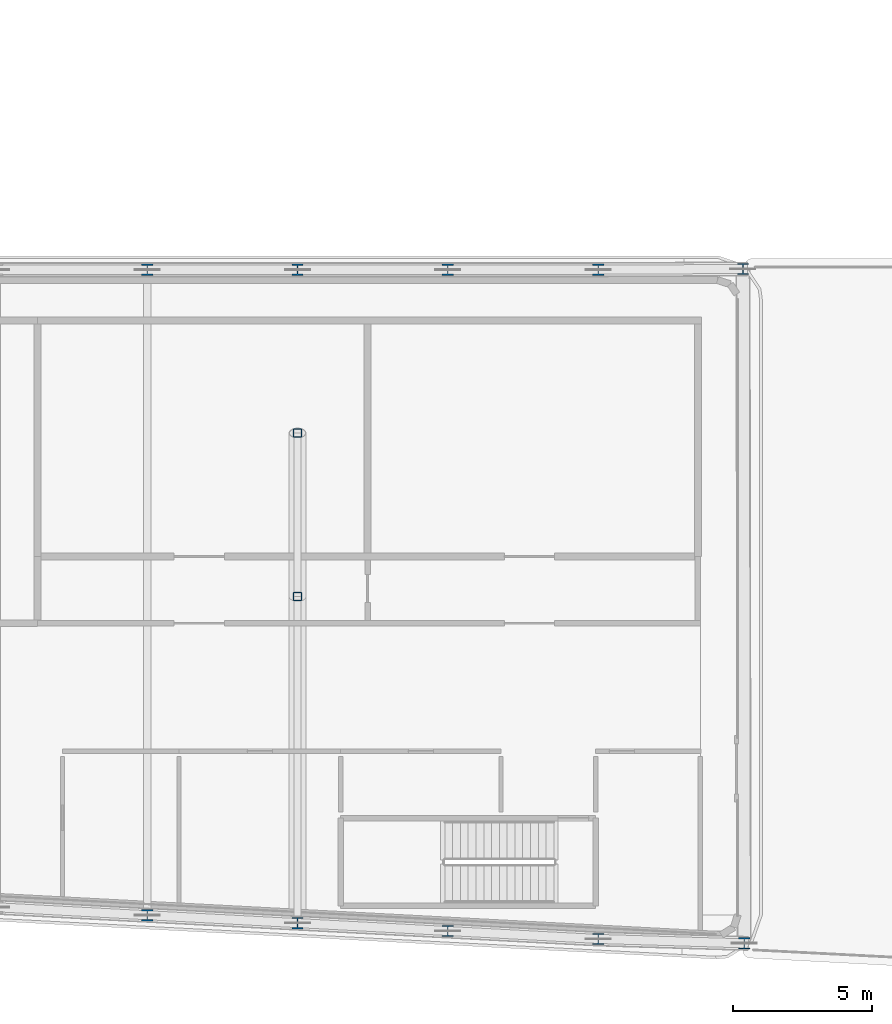
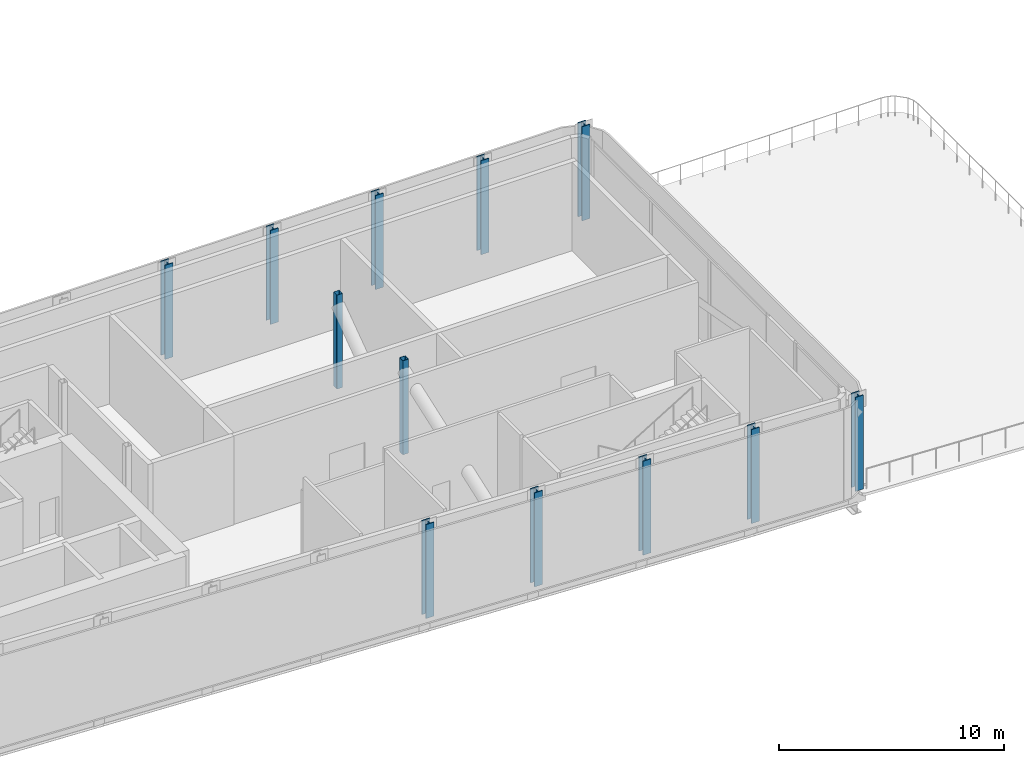
# One storey, part 2 of 23: 12 columns.
"""IFC4 building model written with IfcOpenShell, lengths in metres."""

import ifcopenshell
import ifcopenshell.guid

model = None  # the IFC model being written
_history = None  # IfcOwnerHistory: only IFC2X3 demands one
_inside = {}  # id of a spatial element -> (the spatial element, [elements in it])
_under = {}  # id of a project, library or spatial element -> (it, [spatial elements below it])
_declared = {}  # id of a project -> (the project, [libraries it declares])
_typed = {}  # id of a type object -> (the type object, [elements of that type])
_made_of = {}  # id of a material, layer set ... -> (it, [elements and type objects made of it])


def new_model(schema):
    """Start an empty IFC model of exactly this schema.

    Asked for "IFC4X3", IfcOpenShell would pick the latest addendum, in which some entities
    have other attributes; the version numbers below select the first issue.
    IFC2X3 requires an IfcOwnerHistory on every rooted entity: one is made here for all.
    """
    global model, _history
    if schema == "IFC4X3":
        model = ifcopenshell.file(schema_version=(4, 3, 0, 0))
    else:
        model = ifcopenshell.file(schema=schema)
    _inside.clear()
    _under.clear()
    _declared.clear()
    _typed.clear()
    _made_of.clear()
    _history = None
    if model.schema == "IFC2X3":
        org = make("IfcOrganization", Name="unknown")
        user = make(
            "IfcPersonAndOrganization",
            ThePerson=make("IfcPerson", FamilyName="unknown"),
            TheOrganization=org,
        )
        app = make(
            "IfcApplication",
            ApplicationDeveloper=org,
            Version="unknown",
            ApplicationFullName="unknown",
            ApplicationIdentifier="unknown",
        )
        _history = make(
            "IfcOwnerHistory",
            OwningUser=user,
            OwningApplication=app,
            ChangeAction="ADDED",
            CreationDate=0,
        )
    return model


def make(cls, **values):
    """One entity of the class cls with the attributes given. An attribute that is None is left unset."""
    return model.create_entity(
        cls, **{name: value for name, value in values.items() if value is not None}
    )


def rooted(cls, **values):
    """An entity with a GlobalId (a new one), such as an element, a storey or a relation."""
    return make(cls, GlobalId=ifcopenshell.guid.new(), OwnerHistory=_history, **values)


def si_unit(unit_type, name, prefix=None):
    """IfcSIUnit, for example si_unit("LENGTHUNIT", "METRE", prefix="MILLI")."""
    return make("IfcSIUnit", UnitType=unit_type, Prefix=prefix, Name=name)


def assignment(units):
    """IfcUnitAssignment: the units of a project."""
    return None if units is None else make("IfcUnitAssignment", Units=units)


def point(xyz):
    """IfcCartesianPoint."""
    return None if xyz is None else make("IfcCartesianPoint", Coordinates=xyz)


def direction(xyz):
    """IfcDirection."""
    return None if xyz is None else make("IfcDirection", DirectionRatios=xyz)


def frame(location, z_axis=None, x_axis=None):
    """IfcAxis2Placement3D, a coordinate frame: its origin and axes. An axis left out is left unset."""
    return make(
        "IfcAxis2Placement3D",
        Location=point(location),
        Axis=direction(z_axis),
        RefDirection=direction(x_axis),
    )


def frame_2d(location, x_axis=None):
    """IfcAxis2Placement2D, a coordinate frame in the plane: its origin and x axis."""
    return make(
        "IfcAxis2Placement2D", Location=point(location), RefDirection=direction(x_axis)
    )


def origin():
    """The frame at (0, 0, 0) with its axes left unset."""
    return frame((0.0, 0.0, 0.0))


def origin_2d():
    """The frame at (0, 0) in the plane with its x axis left unset."""
    return frame_2d((0.0, 0.0))


def place(relative_to, where):
    """IfcLocalPlacement: puts the frame where relative to a parent placement (None: the world)."""
    return make(
        "IfcLocalPlacement", PlacementRelTo=relative_to, RelativePlacement=where
    )


def context(
    kind, dimensions, precision=None, world=None, true_north=None, identifier=None
):
    """IfcGeometricRepresentationContext, for example the 3D "Model" context."""
    return make(
        "IfcGeometricRepresentationContext",
        ContextIdentifier=identifier,
        ContextType=kind,
        CoordinateSpaceDimension=dimensions,
        Precision=precision,
        WorldCoordinateSystem=world,
        TrueNorth=true_north,
    )


def subcontext(parent, identifier, kind, view, scale=None):
    """IfcGeometricRepresentationSubContext, for example "Body" below "Model"."""
    return make(
        "IfcGeometricRepresentationSubContext",
        ContextIdentifier=identifier,
        ContextType=kind,
        ParentContext=parent,
        TargetScale=scale,
        TargetView=view,
    )


def project(units=None, contexts=None):
    """IfcProject with its units and contexts."""
    return rooted(
        "IfcProject",
        Name="project",
        RepresentationContexts=contexts,
        UnitsInContext=assignment(units),
    )


def spatial(cls, under=None, at=None, **own):
    """A site, building, storey or space (cls), placed at a placement, below another one or the project."""
    s = rooted(cls, ObjectPlacement=at, **own)
    if under is not None:
        _under.setdefault(under.id(), (under, []))[1].append(s)
    return s


def profile(cls, at=None, kind="AREA", **sizes):
    """A parametric profile (cls). Its sizes go by their IFC names, for example OverallWidth=200.0."""
    return make(cls, ProfileType=kind, Position=at, **sizes)


def hollow_rectangle(**sizes):
    """IfcRectangleHollowProfileDef."""
    return profile("IfcRectangleHollowProfileDef", **sizes)


def i_section(**sizes):
    """IfcIShapeProfileDef."""
    return profile("IfcIShapeProfileDef", **sizes)


def extrude(swept, where, along, depth):
    """IfcExtrudedAreaSolid: the profile swept, set in the frame where, extruded along a direction by depth."""
    return make(
        "IfcExtrudedAreaSolid",
        SweptArea=swept,
        Position=where,
        ExtrudedDirection=direction(along),
        Depth=depth,
    )


def shape(context_of_items, identifier, shape_type, items):
    """IfcShapeRepresentation: the items that make up one representation, for example the "Body"."""
    return make(
        "IfcShapeRepresentation",
        ContextOfItems=context_of_items,
        RepresentationIdentifier=identifier,
        RepresentationType=shape_type,
        Items=items,
    )


def material(Name=None, Category=None):
    """IfcMaterial."""
    return make("IfcMaterial", Name=Name, Category=Category)


def material_profile(
    of_material, cross_section, Name=None, Category=None, Priority=None
):
    """IfcMaterialProfile: a cross section and its material."""
    return make(
        "IfcMaterialProfile",
        Name=Name,
        Material=of_material,
        Profile=cross_section,
        Priority=Priority,
        Category=Category,
    )


def profile_set(profiles, Name=None, composite=None):
    """IfcMaterialProfileSet."""
    return make(
        "IfcMaterialProfileSet",
        Name=Name,
        MaterialProfiles=profiles,
        CompositeProfile=composite,
    )


def made_of(thing, what):
    """Note that an element or type object is made of a material, layer set ...; save() writes the relation."""
    if what is not None:
        _made_of.setdefault(what.id(), (what, []))[1].append(thing)
    return thing


def type_object(cls, material=None, **own):
    """A type object (cls), such as IfcWallType, which elements share."""
    return made_of(rooted(cls, **own), material)


def element(
    cls,
    number,
    at=None,
    inside=None,
    cuts=None,
    type_object=None,
    material=None,
    context=None,
    identifier="Body",
    shape_type=None,
    held_by="IfcProductDefinitionShape",
    body=None,
    shapes=None,
    **own,
):
    """One element of the class cls, such as IfcWall. Its Tag is "e" and its number.

    at: its placement. inside: the storey or other place that contains it. cuts: it is an
    opening in that element (IfcRelVoidsElement). A single representation is given by context,
    identifier, shape_type and body (its items); several are given by shapes. held_by: the class
    of the entity that holds the representations. save() writes the other relations.
    """
    e = rooted(cls, Tag="e%d" % number, ObjectPlacement=at, **own)
    if body is not None:
        shapes = [shape(context, identifier, shape_type, body)]
    if shapes is not None:
        e.Representation = make(held_by, Representations=shapes)
    if inside is not None:
        _inside.setdefault(inside.id(), (inside, []))[1].append(e)
    if cuts is not None:
        rooted(
            "IfcRelVoidsElement", RelatingBuildingElement=cuts, RelatedOpeningElement=e
        )
    if type_object is not None:
        _typed.setdefault(type_object.id(), (type_object, []))[1].append(e)
    return made_of(e, material)


def aggregate(whole, parts):
    """IfcRelAggregates: a whole, such as a stair, and the parts it consists of."""
    return rooted("IfcRelAggregates", RelatingObject=whole, RelatedObjects=parts)


def save(model, path):
    """Write the relations noted so far, then the file.

    IfcRelAggregates (storeys below a building ...), IfcRelContainedInSpatialStructure (elements
    in a storey), IfcRelDefinesByType, IfcRelAssociatesMaterial and IfcRelDeclares: one each for
    every whole, place, type object, material and project.
    """
    for whole, parts in _under.values():
        aggregate(whole, parts)
    for where, things in _inside.values():
        rooted(
            "IfcRelContainedInSpatialStructure",
            RelatedElements=things,
            RelatingStructure=where,
        )
    for kind, things in _typed.values():
        rooted("IfcRelDefinesByType", RelatedObjects=things, RelatingType=kind)
    for what, things in _made_of.values():
        rooted("IfcRelAssociatesMaterial", RelatedObjects=things, RelatingMaterial=what)
    for by, libraries in _declared.values():
        rooted("IfcRelDeclares", RelatingContext=by, RelatedDefinitions=libraries)
    model.write(path)


model = new_model("IFC4")

# Units and contexts
model_context = context("Model", 3, precision=1e-05, world=origin(), true_north=direction((0.0, 1.0)))
body_context = subcontext(model_context, "Body", "Model", "MODEL_VIEW")
ifc_project = project(units=[si_unit("LENGTHUNIT", "METRE"), si_unit("AREAUNIT", "SQUARE_METRE"), si_unit("VOLUMEUNIT", "CUBIC_METRE"), si_unit("PLANEANGLEUNIT", "RADIAN"), si_unit("MASSUNIT", "GRAM", prefix="KILO")], contexts=[model_context])

# Site, building, storey
site_placement = place(None, origin())
site = spatial("IfcSite", under=ifc_project, at=site_placement, CompositionType="ELEMENT")
building_placement = place(site_placement, origin())
building = spatial("IfcBuilding", under=site, at=building_placement, Name="Kheshtan School and Residences Tower", CompositionType="ELEMENT")
storey_placement = place(building_placement, frame((0.0, 0.0, 211.10009765625)))
storey = spatial("IfcBuildingStorey", under=building, at=storey_placement, Name="L49", CompositionType="ELEMENT", Elevation=211.10009765625)

# Columns
ifc_material_1 = material(Name="Steel ASTM A992 Grade 50", Category="steel")
ifc_material_profile_1 = material_profile(ifc_material_1, i_section(OverallWidth=0.404052734375, OverallDepth=0.406982421875, WebThickness=0.027099609375, FlangeThickness=0.043701171875, FilletRadius=0.01220703125, at=origin_2d()), Name="W360x347")
ifc_profile_set_1 = profile_set([ifc_material_profile_1], Name="Steel ASTM A992 Grade 50")
column_type_1 = type_object("IfcColumnType", Name="Column C4 W360x347 ASTM A992 Grade 50", PredefinedType="COLUMN", material=ifc_profile_set_1)
for number, where, z_axis, x_axis, name in (
    (1, (85.243896484375, 21.39990234375, 0.0), (0.0, 0.0, 1.0), (1.0, 0.0, 0.0), "Column C011"),
    (2, (80.0, 21.55810546875, 0.0), (0.0, 0.0, 1.0), (1.0, 0.0, 0.0), "Column C012"),
    (3, (74.60009765625, 21.843017578125, 0.0), (0.0, 0.0, 1.0), (1.0, 0.0, 0.0), "Column C013"),
    (4, (69.199951171875, 22.126953125, 0.0), (0.0, 0.0, 1.0), (1.0, 0.0, 0.0), "Column C014"),
    (5, (63.800048828125, 22.410888671875, 0.0), (0.0, 0.0, 1.0), (1.0, 0.0, 0.0), "Column C016"),
    (6, (63.800048828125, 45.60009765625, 0.0), (0.0, 0.0, 1.0), (1.0, 0.0, 0.0), "Column C063"),
    (7, (69.199951171875, 45.60009765625, 0.0), (0.0, 0.0, 1.0), (1.0, 0.0, 0.0), "Column C064"),
    (8, (74.60009765625, 45.60009765625, 0.0), (0.0, 0.0, 1.0), (1.0, 0.0, 0.0), "Column C065"),
    (9, (80.0, 45.60009765625, 0.0), (0.0, 0.0, 1.0), (1.0, 0.0, 0.0), "Column C066"),
    (10, (85.201904296875, 45.6279296875, 0.0), (0.0, 0.0, 1.0), (1.0, 0.0, 0.0), "Column C076"),
):
    element("IfcColumn", number, at=place(storey_placement, frame(where, z_axis=z_axis, x_axis=x_axis)), inside=storey, type_object=column_type_1, Name=name, PredefinedType="COLUMN", context=body_context, shape_type="SweptSolid", body=[
        extrude(i_section(OverallWidth=0.404052734375, OverallDepth=0.406982421875, WebThickness=0.027099609375, FlangeThickness=0.043701171875, FilletRadius=0.01220703125, at=origin_2d()), origin(), (0.0, 0.0, 1.0), 5.099853515625),
    ])
ifc_material_2 = material(Name="Steel ASTM A500 Grade C", Category="steel")
ifc_material_profile_2 = material_profile(ifc_material_2, hollow_rectangle(XDim=0.304931640625, YDim=0.304931640625, WallThickness=0.015869140625, InnerFilletRadius=0.015869140625, OuterFilletRadius=0.03173828125, at=origin_2d()), Name="HSS 305x305x15.9")
ifc_profile_set_2 = profile_set([ifc_material_profile_2], Name="Steel ASTM A500 Grade C")
column_type_2 = type_object("IfcColumnType", Name="Column IC2 HSS 305x305x15.9 ASTM A500 Grade C", PredefinedType="COLUMN", material=ifc_profile_set_2)
for number, where, z_axis, x_axis, name in (
    (11, (69.199951171875, 33.863037109375, 0.0), (0.0, 0.0, 1.0), (1.0, 0.0, 0.0), "Column C050"),
    (12, (69.199951171875, 39.73193359375, 0.0), (0.0, 0.0, 1.0), (1.0, 0.0, 0.0), "Column C054"),
):
    element("IfcColumn", number, at=place(storey_placement, frame(where, z_axis=z_axis, x_axis=x_axis)), inside=storey, type_object=column_type_2, Name=name, PredefinedType="COLUMN", context=body_context, shape_type="SweptSolid", body=[
        extrude(hollow_rectangle(XDim=0.304931640625, YDim=0.304931640625, WallThickness=0.015869140625, InnerFilletRadius=0.015869140625, OuterFilletRadius=0.03173828125, at=origin_2d()), origin(), (0.0, 0.0, 1.0), 5.099853515625),
    ])

save(model, "model.ifc")
